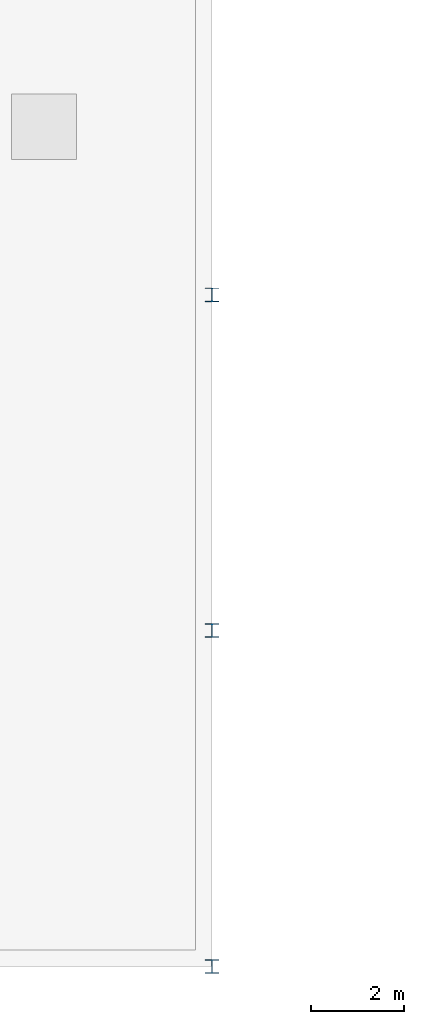
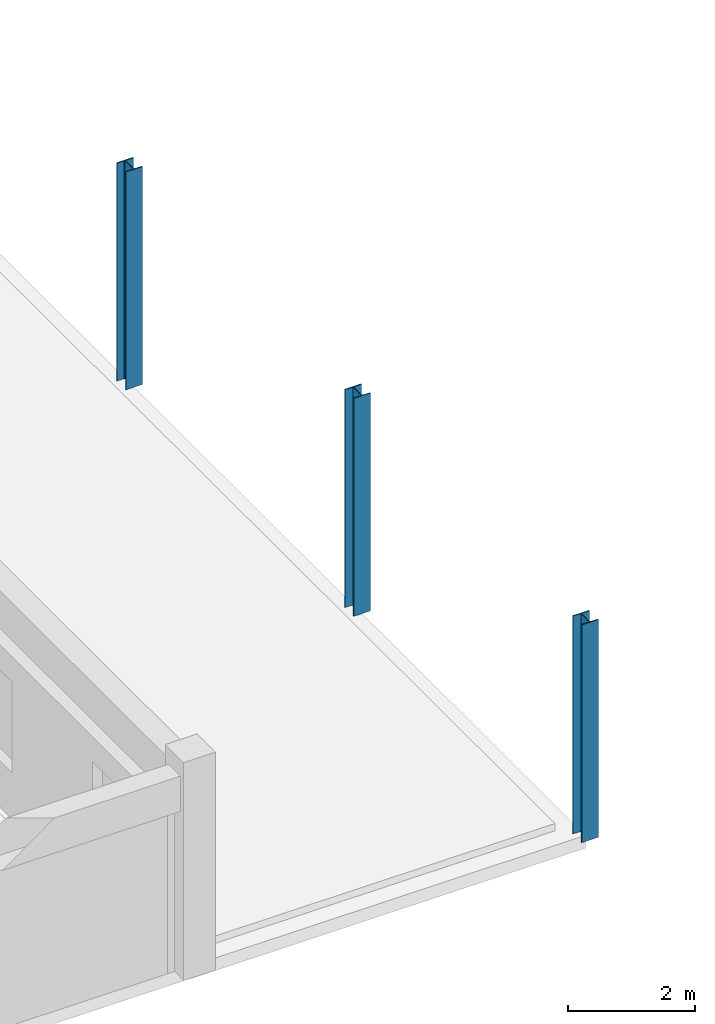
# One storey, part 2 of 99: 3 columns.
"""IFC4 building model written with IfcOpenShell, lengths in metres."""

from ifc_helpers import new_model, si_unit, direction, frame, origin, origin_2d, place, context, subcontext, project, spatial, i_section, extrude, material, material_profile, profile_set, type_object, element, save


model = new_model("IFC4")

# Units and contexts
model_context = context("Model", 3, precision=1e-05, world=origin(), true_north=direction((0.0, 1.0)))
body_context = subcontext(model_context, "Body", "Model", "MODEL_VIEW")
ifc_project = project(units=[si_unit("LENGTHUNIT", "METRE"), si_unit("AREAUNIT", "SQUARE_METRE"), si_unit("VOLUMEUNIT", "CUBIC_METRE"), si_unit("PLANEANGLEUNIT", "RADIAN"), si_unit("MASSUNIT", "GRAM", prefix="KILO")], contexts=[model_context])

# Site, building, storey
site_placement = place(None, origin())
site = spatial("IfcSite", under=ifc_project, at=site_placement, CompositionType="ELEMENT")
building_placement = place(site_placement, origin())
building = spatial("IfcBuilding", under=site, at=building_placement, Name="Bramveld Media Centre", CompositionType="ELEMENT")
storey_placement = place(building_placement, frame((0.0, 0.0, 13.800048828125)))
storey = spatial("IfcBuildingStorey", under=building, at=storey_placement, Name="L03", CompositionType="ELEMENT", Elevation=13.800048828125)

# Columns
ifc_material = material(Name="Steel S355J2", Category="steel")
ifc_material_profile = material_profile(ifc_material, i_section(OverallWidth=0.300048828125, OverallDepth=0.300048828125, WebThickness=0.010986328125, FlangeThickness=0.01904296875, FilletRadius=0.027099609375, at=origin_2d()), Name="HEB 300")
ifc_profile_set = profile_set([ifc_material_profile], Name="Steel S355J2")
column_type = type_object("IfcColumnType", Name="SCOL-EXT-HEB-300", PredefinedType="COLUMN", material=ifc_profile_set)
for number, where, z_axis, x_axis, name in (
    (1, (101.60009765625, 0.0, 0.0), (0.0, 0.0, 1.0), (1.0, 0.0, 0.0), "V5LOG L03 loggia support column"),
    (2, (101.60009765625, 7.199951171875, 0.0), (0.0, 0.0, 1.0), (1.0, 0.0, 0.0), "V5LOG L03 loggia support column"),
    (3, (101.60009765625, 14.39990234375, 0.0), (0.0, 0.0, 1.0), (1.0, 0.0, 0.0), "V5LOG L03 loggia support column"),
):
    element("IfcColumn", number, at=place(storey_placement, frame(where, z_axis=z_axis, x_axis=x_axis)), inside=storey, type_object=column_type, Name=name, PredefinedType="COLUMN", context=body_context, shape_type="SweptSolid", body=[
        extrude(i_section(OverallWidth=0.300048828125, OverallDepth=0.300048828125, WebThickness=0.010986328125, FlangeThickness=0.01904296875, FilletRadius=0.027099609375, at=origin_2d()), origin(), (0.0, 0.0, 1.0), 4.199951171875),
    ])

save(model, "model.ifc")
